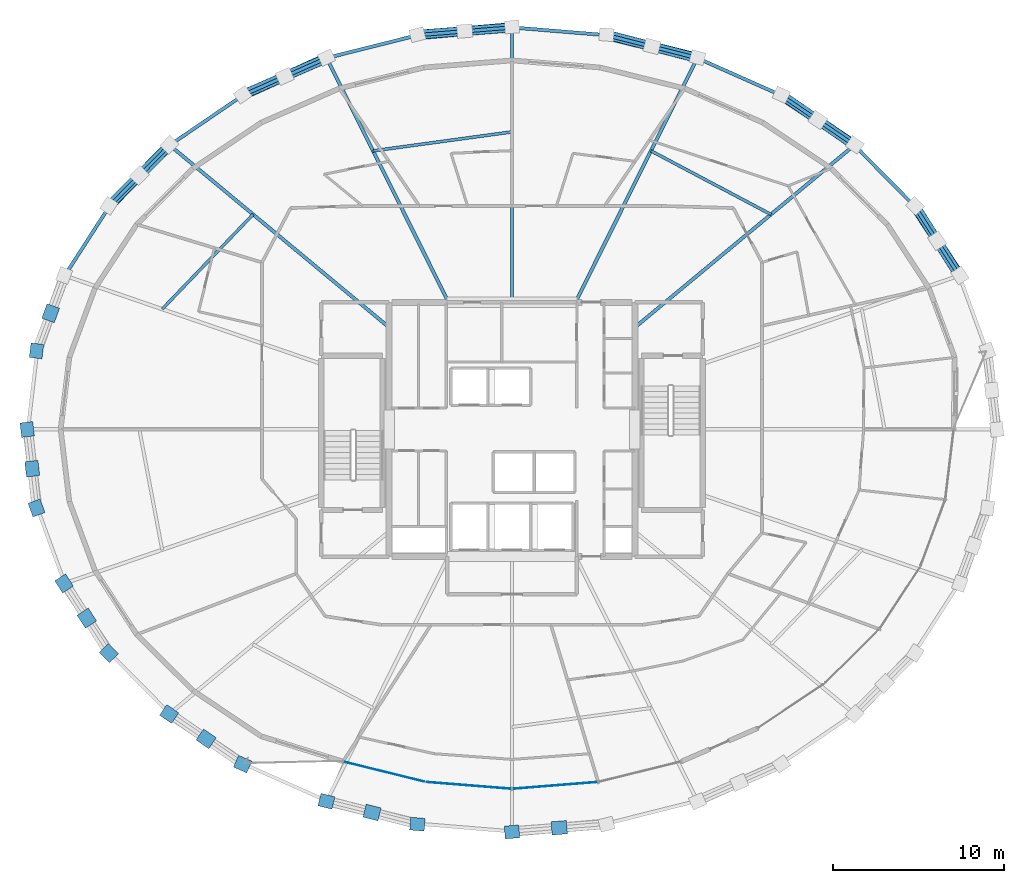
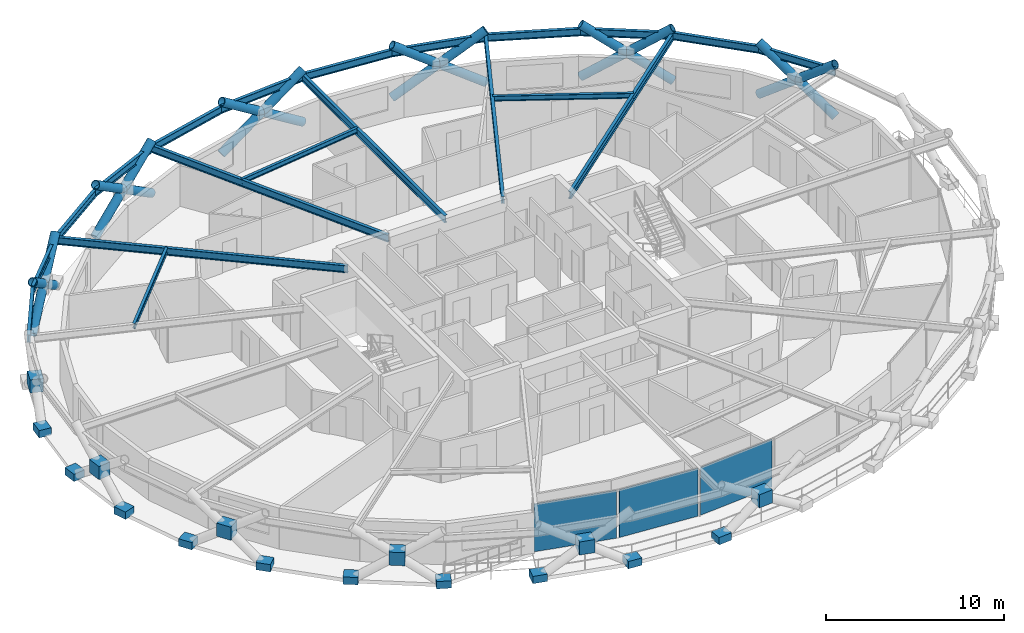
# One storey, part 12 of 21: 20 beams, 19 plates, 18 members, 1 element without a shape of its own.
"""IFC4 building model written with IfcOpenShell, lengths in metres."""

import ifcopenshell
import ifcopenshell.guid

model = None  # the IFC model being written
_history = None  # IfcOwnerHistory: only IFC2X3 demands one
_inside = {}  # id of a spatial element -> (the spatial element, [elements in it])
_under = {}  # id of a project, library or spatial element -> (it, [spatial elements below it])
_declared = {}  # id of a project -> (the project, [libraries it declares])
_typed = {}  # id of a type object -> (the type object, [elements of that type])
_made_of = {}  # id of a material, layer set ... -> (it, [elements and type objects made of it])


def new_model(schema):
    """Start an empty IFC model of exactly this schema.

    Asked for "IFC4X3", IfcOpenShell would pick the latest addendum, in which some entities
    have other attributes; the version numbers below select the first issue.
    IFC2X3 requires an IfcOwnerHistory on every rooted entity: one is made here for all.
    """
    global model, _history
    if schema == "IFC4X3":
        model = ifcopenshell.file(schema_version=(4, 3, 0, 0))
    else:
        model = ifcopenshell.file(schema=schema)
    _inside.clear()
    _under.clear()
    _declared.clear()
    _typed.clear()
    _made_of.clear()
    _history = None
    if model.schema == "IFC2X3":
        org = make("IfcOrganization", Name="unknown")
        user = make(
            "IfcPersonAndOrganization",
            ThePerson=make("IfcPerson", FamilyName="unknown"),
            TheOrganization=org,
        )
        app = make(
            "IfcApplication",
            ApplicationDeveloper=org,
            Version="unknown",
            ApplicationFullName="unknown",
            ApplicationIdentifier="unknown",
        )
        _history = make(
            "IfcOwnerHistory",
            OwningUser=user,
            OwningApplication=app,
            ChangeAction="ADDED",
            CreationDate=0,
        )
    return model


def make(cls, **values):
    """One entity of the class cls with the attributes given. An attribute that is None is left unset."""
    return model.create_entity(
        cls, **{name: value for name, value in values.items() if value is not None}
    )


def rooted(cls, **values):
    """An entity with a GlobalId (a new one), such as an element, a storey or a relation."""
    return make(cls, GlobalId=ifcopenshell.guid.new(), OwnerHistory=_history, **values)


def si_unit(unit_type, name, prefix=None):
    """IfcSIUnit, for example si_unit("LENGTHUNIT", "METRE", prefix="MILLI")."""
    return make("IfcSIUnit", UnitType=unit_type, Prefix=prefix, Name=name)


def assignment(units):
    """IfcUnitAssignment: the units of a project."""
    return None if units is None else make("IfcUnitAssignment", Units=units)


def point(xyz):
    """IfcCartesianPoint."""
    return None if xyz is None else make("IfcCartesianPoint", Coordinates=xyz)


def direction(xyz):
    """IfcDirection."""
    return None if xyz is None else make("IfcDirection", DirectionRatios=xyz)


def frame(location, z_axis=None, x_axis=None):
    """IfcAxis2Placement3D, a coordinate frame: its origin and axes. An axis left out is left unset."""
    return make(
        "IfcAxis2Placement3D",
        Location=point(location),
        Axis=direction(z_axis),
        RefDirection=direction(x_axis),
    )


def frame_2d(location, x_axis=None):
    """IfcAxis2Placement2D, a coordinate frame in the plane: its origin and x axis."""
    return make(
        "IfcAxis2Placement2D", Location=point(location), RefDirection=direction(x_axis)
    )


def origin():
    """The frame at (0, 0, 0) with its axes left unset."""
    return frame((0.0, 0.0, 0.0))


def origin_2d():
    """The frame at (0, 0) in the plane with its x axis left unset."""
    return frame_2d((0.0, 0.0))


def place(relative_to, where):
    """IfcLocalPlacement: puts the frame where relative to a parent placement (None: the world)."""
    return make(
        "IfcLocalPlacement", PlacementRelTo=relative_to, RelativePlacement=where
    )


def context(
    kind, dimensions, precision=None, world=None, true_north=None, identifier=None
):
    """IfcGeometricRepresentationContext, for example the 3D "Model" context."""
    return make(
        "IfcGeometricRepresentationContext",
        ContextIdentifier=identifier,
        ContextType=kind,
        CoordinateSpaceDimension=dimensions,
        Precision=precision,
        WorldCoordinateSystem=world,
        TrueNorth=true_north,
    )


def subcontext(parent, identifier, kind, view, scale=None):
    """IfcGeometricRepresentationSubContext, for example "Body" below "Model"."""
    return make(
        "IfcGeometricRepresentationSubContext",
        ContextIdentifier=identifier,
        ContextType=kind,
        ParentContext=parent,
        TargetScale=scale,
        TargetView=view,
    )


def project(units=None, contexts=None):
    """IfcProject with its units and contexts."""
    return rooted(
        "IfcProject",
        Name="project",
        RepresentationContexts=contexts,
        UnitsInContext=assignment(units),
    )


def spatial(cls, under=None, at=None, **own):
    """A site, building, storey or space (cls), placed at a placement, below another one or the project."""
    s = rooted(cls, ObjectPlacement=at, **own)
    if under is not None:
        _under.setdefault(under.id(), (under, []))[1].append(s)
    return s


def profile(cls, at=None, kind="AREA", **sizes):
    """A parametric profile (cls). Its sizes go by their IFC names, for example OverallWidth=200.0."""
    return make(cls, ProfileType=kind, Position=at, **sizes)


def rectangle(**sizes):
    """IfcRectangleProfileDef."""
    return profile("IfcRectangleProfileDef", **sizes)


def hollow_circle(**sizes):
    """IfcCircleHollowProfileDef."""
    return profile("IfcCircleHollowProfileDef", **sizes)


def i_section(**sizes):
    """IfcIShapeProfileDef."""
    return profile("IfcIShapeProfileDef", **sizes)


def extrude(swept, where, along, depth):
    """IfcExtrudedAreaSolid: the profile swept, set in the frame where, extruded along a direction by depth."""
    return make(
        "IfcExtrudedAreaSolid",
        SweptArea=swept,
        Position=where,
        ExtrudedDirection=direction(along),
        Depth=depth,
    )


def shape(context_of_items, identifier, shape_type, items):
    """IfcShapeRepresentation: the items that make up one representation, for example the "Body"."""
    return make(
        "IfcShapeRepresentation",
        ContextOfItems=context_of_items,
        RepresentationIdentifier=identifier,
        RepresentationType=shape_type,
        Items=items,
    )


def material(Name=None, Category=None):
    """IfcMaterial."""
    return make("IfcMaterial", Name=Name, Category=Category)


def layer(
    of_material, thickness, ventilated=None, Name=None, Category=None, Priority=None
):
    """IfcMaterialLayer: one layer of a wall or slab, of a material (None: an air gap)."""
    return make(
        "IfcMaterialLayer",
        Material=of_material,
        LayerThickness=thickness,
        IsVentilated=ventilated,
        Name=Name,
        Category=Category,
        Priority=Priority,
    )


def layer_set(layers, Name=None):
    """IfcMaterialLayerSet."""
    return make("IfcMaterialLayerSet", MaterialLayers=layers, LayerSetName=Name)


def material_profile(
    of_material, cross_section, Name=None, Category=None, Priority=None
):
    """IfcMaterialProfile: a cross section and its material."""
    return make(
        "IfcMaterialProfile",
        Name=Name,
        Material=of_material,
        Profile=cross_section,
        Priority=Priority,
        Category=Category,
    )


def profile_set(profiles, Name=None, composite=None):
    """IfcMaterialProfileSet."""
    return make(
        "IfcMaterialProfileSet",
        Name=Name,
        MaterialProfiles=profiles,
        CompositeProfile=composite,
    )


def made_of(thing, what):
    """Note that an element or type object is made of a material, layer set ...; save() writes the relation."""
    if what is not None:
        _made_of.setdefault(what.id(), (what, []))[1].append(thing)
    return thing


def type_object(cls, material=None, **own):
    """A type object (cls), such as IfcWallType, which elements share."""
    return made_of(rooted(cls, **own), material)


def element(
    cls,
    number,
    at=None,
    inside=None,
    cuts=None,
    type_object=None,
    material=None,
    context=None,
    identifier="Body",
    shape_type=None,
    held_by="IfcProductDefinitionShape",
    body=None,
    shapes=None,
    **own,
):
    """One element of the class cls, such as IfcWall. Its Tag is "e" and its number.

    at: its placement. inside: the storey or other place that contains it. cuts: it is an
    opening in that element (IfcRelVoidsElement). A single representation is given by context,
    identifier, shape_type and body (its items); several are given by shapes. held_by: the class
    of the entity that holds the representations. save() writes the other relations.
    """
    e = rooted(cls, Tag="e%d" % number, ObjectPlacement=at, **own)
    if body is not None:
        shapes = [shape(context, identifier, shape_type, body)]
    if shapes is not None:
        e.Representation = make(held_by, Representations=shapes)
    if inside is not None:
        _inside.setdefault(inside.id(), (inside, []))[1].append(e)
    if cuts is not None:
        rooted(
            "IfcRelVoidsElement", RelatingBuildingElement=cuts, RelatedOpeningElement=e
        )
    if type_object is not None:
        _typed.setdefault(type_object.id(), (type_object, []))[1].append(e)
    return made_of(e, material)


def aggregate(whole, parts):
    """IfcRelAggregates: a whole, such as a stair, and the parts it consists of."""
    return rooted("IfcRelAggregates", RelatingObject=whole, RelatedObjects=parts)


def save(model, path):
    """Write the relations noted so far, then the file.

    IfcRelAggregates (storeys below a building ...), IfcRelContainedInSpatialStructure (elements
    in a storey), IfcRelDefinesByType, IfcRelAssociatesMaterial and IfcRelDeclares: one each for
    every whole, place, type object, material and project.
    """
    for whole, parts in _under.values():
        aggregate(whole, parts)
    for where, things in _inside.values():
        rooted(
            "IfcRelContainedInSpatialStructure",
            RelatedElements=things,
            RelatingStructure=where,
        )
    for kind, things in _typed.values():
        rooted("IfcRelDefinesByType", RelatedObjects=things, RelatingType=kind)
    for what, things in _made_of.values():
        rooted("IfcRelAssociatesMaterial", RelatedObjects=things, RelatingMaterial=what)
    for by, libraries in _declared.values():
        rooted("IfcRelDeclares", RelatingContext=by, RelatedDefinitions=libraries)
    model.write(path)


model = new_model("IFC4")

# Units and contexts
model_context = context("Model", 3, precision=1e-05, world=origin(), true_north=direction((0.0, 1.0)))
body_context = subcontext(model_context, "Body", "Model", "MODEL_VIEW")
ifc_project = project(units=[si_unit("LENGTHUNIT", "METRE"), si_unit("AREAUNIT", "SQUARE_METRE"), si_unit("VOLUMEUNIT", "CUBIC_METRE"), si_unit("PLANEANGLEUNIT", "RADIAN"), si_unit("MASSUNIT", "GRAM", prefix="KILO")], contexts=[model_context])

# Site, building, storey
site_placement = place(None, origin())
site = spatial("IfcSite", under=ifc_project, at=site_placement, CompositionType="ELEMENT")
building_placement = place(site_placement, origin())
building = spatial("IfcBuilding", under=site, at=building_placement, Name="Veldorina Hangang Commons", CompositionType="ELEMENT")
storey_placement = place(building_placement, frame((0.0, 0.0, 142.39990234375)))
storey = spatial("IfcBuildingStorey", under=building, at=storey_placement, Name="L36", CompositionType="ELEMENT", Elevation=142.39990234375)

# Beams
ifc_material_1 = material(Name="Steel SM420-TMC", Category="steel")
ifc_material_profile_1 = material_profile(ifc_material_1, i_section(OverallWidth=0.199951171875, OverallDepth=0.5, WebThickness=0.010009765625, FlangeThickness=0.01611328125, FilletRadius=0.01611328125, at=origin_2d()), Name="H-500x200x10x16")
ifc_profile_set_1 = profile_set([ifc_material_profile_1], Name="Steel SM420-TMC")
beam_type_1 = type_object("IfcBeamType", Name="BM-FG500", PredefinedType="BEAM", material=ifc_profile_set_1)
beam_1_placement = place(storey_placement, frame((39.199951171875, 29.978759765625, 3.10009765625), z_axis=(0.769328244643, 0.638853701558, 0.0), x_axis=(-0.638853701558, 0.769328244643, 0.0)))
element("IfcBeam", 1, at=beam_1_placement, inside=storey, type_object=beam_type_1, Name="L36 radial floor girder 03", PredefinedType="BEAM", context=body_context, shape_type="SweptSolid", body=[
    extrude(i_section(OverallWidth=0.199951171875, OverallDepth=0.5, WebThickness=0.010009765625, FlangeThickness=0.01611328125, FilletRadius=0.01611328125, at=origin_2d()), origin(), (0.0, 0.0, 1.0), 16.72265625),
])
beam_2_placement = place(storey_placement, frame((35.71630859375, 31.449951171875, 3.10009765625), z_axis=(0.44635293446, 0.894857004162, 0.0), x_axis=(-0.894857004162, 0.44635293446, 0.0)))
element("IfcBeam", 2, at=beam_2_placement, inside=storey, type_object=beam_type_1, Name="L36 radial floor girder 04", PredefinedType="BEAM", context=body_context, shape_type="SweptSolid", body=[
    extrude(i_section(OverallWidth=0.199951171875, OverallDepth=0.5, WebThickness=0.010009765625, FlangeThickness=0.01611328125, FilletRadius=0.01611328125, at=origin_2d()), origin(), (0.0, 0.0, 1.0), 16.002685546875),
])
beam_3_placement = place(storey_placement, frame((32.0, 31.449951171875, 3.10009765625), z_axis=(0.0, 1.0, 0.0), x_axis=(-1.0, 0.0, 0.0)))
element("IfcBeam", 3, at=beam_3_placement, inside=storey, type_object=beam_type_1, Name="L36 radial floor girder 05", PredefinedType="BEAM", context=body_context, shape_type="SweptSolid", body=[
    extrude(i_section(OverallWidth=0.199951171875, OverallDepth=0.5, WebThickness=0.010009765625, FlangeThickness=0.01611328125, FilletRadius=0.01611328125, at=origin_2d()), origin(), (0.0, 0.0, 1.0), 16.11376953125),
])
beam_4_placement = place(storey_placement, frame((28.28369140625, 31.449951171875, 3.10009765625), z_axis=(-0.44635293446, 0.894857004162, 0.0), x_axis=(-0.894857004162, -0.44635293446, 0.0)))
element("IfcBeam", 4, at=beam_4_placement, inside=storey, type_object=beam_type_1, Name="L36 radial floor girder 06", PredefinedType="BEAM", context=body_context, shape_type="SweptSolid", body=[
    extrude(i_section(OverallWidth=0.199951171875, OverallDepth=0.5, WebThickness=0.010009765625, FlangeThickness=0.01611328125, FilletRadius=0.01611328125, at=origin_2d()), origin(), (0.0, 0.0, 1.0), 16.002685546875),
])
beam_5_placement = place(storey_placement, frame((24.800048828125, 29.978759765625, 3.10009765625), z_axis=(-0.769328244643, 0.638853701558, 0.0), x_axis=(-0.638853701558, -0.769328244643, 0.0)))
element("IfcBeam", 5, at=beam_5_placement, inside=storey, type_object=beam_type_1, Name="L36 radial floor girder 07", PredefinedType="BEAM", context=body_context, shape_type="SweptSolid", body=[
    extrude(i_section(OverallWidth=0.199951171875, OverallDepth=0.5, WebThickness=0.010009765625, FlangeThickness=0.01611328125, FilletRadius=0.01611328125, at=origin_2d()), origin(), (0.0, 0.0, 1.0), 16.72265625),
])
ifc_material_2 = material(Name="Steel SM355-TMC", Category="steel")
ifc_material_profile_2 = material_profile(ifc_material_2, i_section(OverallWidth=0.175048828125, OverallDepth=0.35009765625, WebThickness=0.007080078125, FlangeThickness=0.010986328125, FilletRadius=0.012939453125, at=origin_2d()), Name="H-350x175x7x11")
ifc_profile_set_2 = profile_set([ifc_material_profile_2], Name="Steel SM355-TMC")
beam_type_2 = type_object("IfcBeamType", Name="BM-JST350", PredefinedType="JOIST", material=ifc_profile_set_2)
beam_6_placement = place(storey_placement, frame((47.176513671875, 36.602294921875, 3.175048828125), z_axis=(-0.883605014655, 0.468233038216, 0.0), x_axis=(-0.468233038216, -0.883605014655, 0.0)))
element("IfcBeam", 6, at=beam_6_placement, inside=storey, type_object=beam_type_2, Name="L36 secondary floor joist 03", PredefinedType="JOIST", context=body_context, shape_type="SweptSolid", body=[
    extrude(i_section(OverallWidth=0.175048828125, OverallDepth=0.35009765625, WebThickness=0.007080078125, FlangeThickness=0.010986328125, FilletRadius=0.012939453125, at=origin_2d()), origin(), (0.0, 0.0, 1.0), 7.957763671875),
])
beam_7_placement = place(storey_placement, frame((32.0, 41.4404296875, 3.175048828125), z_axis=(-0.990807744856, -0.13527753965, 0.0), x_axis=(0.13527753965, -0.990807744856, 0.0)))
element("IfcBeam", 7, at=beam_7_placement, inside=storey, type_object=beam_type_2, Name="L36 secondary floor joist 05", PredefinedType="JOIST", context=body_context, shape_type="SweptSolid", body=[
    extrude(i_section(OverallWidth=0.175048828125, OverallDepth=0.35009765625, WebThickness=0.007080078125, FlangeThickness=0.010986328125, FilletRadius=0.012939453125, at=origin_2d()), origin(), (0.0, 0.0, 1.0), 8.220703125),
])
beam_8_placement = place(storey_placement, frame((16.823486328125, 36.602294921875, 3.175048828125), z_axis=(-0.692389114021, -0.721524299512, 0.0), x_axis=(0.721524299512, -0.692389114021, 0.0)))
element("IfcBeam", 8, at=beam_8_placement, inside=storey, type_object=beam_type_2, Name="L36 secondary floor joist 07", PredefinedType="JOIST", context=body_context, shape_type="SweptSolid", body=[
    extrude(i_section(OverallWidth=0.175048828125, OverallDepth=0.35009765625, WebThickness=0.007080078125, FlangeThickness=0.010986328125, FilletRadius=0.012939453125, at=origin_2d()), origin(), (0.0, 0.0, 1.0), 7.6923828125),
])
ifc_material_profile_3 = material_profile(ifc_material_1, i_section(OverallWidth=0.199951171875, OverallDepth=0.5, WebThickness=0.010009765625, FlangeThickness=0.01611328125, FilletRadius=0.01611328125, at=origin_2d()), Name="H-500x200x10x16")
ifc_profile_set_3 = profile_set([ifc_material_profile_3], Name="Steel SM420-TMC")
beam_type_3 = type_object("IfcBeamType", Name="BM-RB500", PredefinedType="BEAM", material=ifc_profile_set_3)
beam_9_placement = place(storey_placement, frame((58.216552734375, 33.017333984375, 3.10009765625), z_axis=(-0.541243941663, 0.840865622804, 0.0), x_axis=(-0.840865622804, -0.541243941663, 0.0)))
element("IfcBeam", 9, at=beam_9_placement, inside=storey, type_object=beam_type_3, Name="L36 perimeter hoop ring beam 02", PredefinedType="BEAM", context=body_context, shape_type="SweptSolid", body=[
    extrude(i_section(OverallWidth=0.199951171875, OverallDepth=0.5, WebThickness=0.010009765625, FlangeThickness=0.01611328125, FilletRadius=0.01611328125, at=origin_2d()), origin(), (0.0, 0.0, 1.0), 4.844970703125),
])
beam_10_placement = place(storey_placement, frame((55.59423828125, 37.09130859375, 3.10009765625), z_axis=(-0.702936750629, 0.711252363521, 0.0), x_axis=(-0.711252363521, -0.702936750629, 0.0)))
element("IfcBeam", 10, at=beam_10_placement, inside=storey, type_object=beam_type_3, Name="L36 perimeter hoop ring beam 03", PredefinedType="BEAM", context=body_context, shape_type="SweptSolid", body=[
    extrude(i_section(OverallWidth=0.199951171875, OverallDepth=0.5, WebThickness=0.010009765625, FlangeThickness=0.01611328125, FilletRadius=0.01611328125, at=origin_2d()), origin(), (0.0, 0.0, 1.0), 5.0205078125),
])
beam_11_placement = place(storey_placement, frame((52.065185546875, 40.662109375, 3.10009765625), z_axis=(-0.826377201596, 0.563116968918, 0.0), x_axis=(-0.563116968918, -0.826377201596, 0.0)))
element("IfcBeam", 11, at=beam_11_placement, inside=storey, type_object=beam_type_3, Name="L36 perimeter hoop ring beam 04", PredefinedType="BEAM", context=body_context, shape_type="SweptSolid", body=[
    extrude(i_section(OverallWidth=0.199951171875, OverallDepth=0.5, WebThickness=0.010009765625, FlangeThickness=0.01611328125, FilletRadius=0.01611328125, at=origin_2d()), origin(), (0.0, 0.0, 1.0), 5.20361328125),
])
beam_12_placement = place(storey_placement, frame((47.76513671875, 43.59228515625, 3.10009765625), z_axis=(-0.913999013656, 0.405716407157, 0.0), x_axis=(-0.405716407157, -0.913999013656, 0.0)))
element("IfcBeam", 12, at=beam_12_placement, inside=storey, type_object=beam_type_3, Name="L36 perimeter hoop ring beam 05", PredefinedType="BEAM", context=body_context, shape_type="SweptSolid", body=[
    extrude(i_section(OverallWidth=0.199951171875, OverallDepth=0.5, WebThickness=0.010009765625, FlangeThickness=0.01611328125, FilletRadius=0.01611328125, at=origin_2d()), origin(), (0.0, 0.0, 1.0), 5.36767578125),
])
beam_13_placement = place(storey_placement, frame((42.859130859375, 45.77001953125, 3.10009765625), z_axis=(-0.969711938527, 0.244251420216, 0.0), x_axis=(-0.244251420216, -0.969711938527, 0.0)))
element("IfcBeam", 13, at=beam_13_placement, inside=storey, type_object=beam_type_3, Name="L36 perimeter hoop ring beam 06", PredefinedType="BEAM", context=body_context, shape_type="SweptSolid", body=[
    extrude(i_section(OverallWidth=0.199951171875, OverallDepth=0.5, WebThickness=0.010009765625, FlangeThickness=0.01611328125, FilletRadius=0.01611328125, at=origin_2d()), origin(), (0.0, 0.0, 1.0), 5.489501953125),
])
for number, where, z_axis, x_axis, name in (
    (14, (37.535888671875, 47.11083984375, 3.10009765625), (-0.996670415908, 0.081535771621, 0.0), (-0.081535771621, -0.996670415908, 0.0), "L36 perimeter hoop ring beam 07"),
    (15, (32.0, 47.563720703125, 3.10009765625), (-0.996670415908, -0.081535771621, 0.0), (0.081535771621, -0.996670415908, 0.0), "L36 perimeter hoop ring beam 08"),
):
    element("IfcBeam", number, at=place(storey_placement, frame(where, z_axis=z_axis, x_axis=x_axis)), inside=storey, type_object=beam_type_3, Name=name, PredefinedType="BEAM", context=body_context, shape_type="SweptSolid", body=[
        extrude(i_section(OverallWidth=0.199951171875, OverallDepth=0.5, WebThickness=0.010009765625, FlangeThickness=0.01611328125, FilletRadius=0.01611328125, at=origin_2d()), origin(), (0.0, 0.0, 1.0), 5.554443359375),
    ])
beam_14_placement = place(storey_placement, frame((26.464111328125, 47.11083984375, 3.10009765625), z_axis=(-0.969711938527, -0.244251420216, 0.0), x_axis=(0.244251420216, -0.969711938527, 0.0)))
element("IfcBeam", 16, at=beam_14_placement, inside=storey, type_object=beam_type_3, Name="L36 perimeter hoop ring beam 09", PredefinedType="BEAM", context=body_context, shape_type="SweptSolid", body=[
    extrude(i_section(OverallWidth=0.199951171875, OverallDepth=0.5, WebThickness=0.010009765625, FlangeThickness=0.01611328125, FilletRadius=0.01611328125, at=origin_2d()), origin(), (0.0, 0.0, 1.0), 5.489501953125),
])
beam_15_placement = place(storey_placement, frame((21.140869140625, 45.77001953125, 3.10009765625), z_axis=(-0.913999013656, -0.405716407157, 0.0), x_axis=(0.405716407157, -0.913999013656, 0.0)))
element("IfcBeam", 17, at=beam_15_placement, inside=storey, type_object=beam_type_3, Name="L36 perimeter hoop ring beam 10", PredefinedType="BEAM", context=body_context, shape_type="SweptSolid", body=[
    extrude(i_section(OverallWidth=0.199951171875, OverallDepth=0.5, WebThickness=0.010009765625, FlangeThickness=0.01611328125, FilletRadius=0.01611328125, at=origin_2d()), origin(), (0.0, 0.0, 1.0), 5.36767578125),
])
beam_16_placement = place(storey_placement, frame((16.23486328125, 43.59228515625, 3.10009765625), z_axis=(-0.826377201596, -0.563116968918, 0.0), x_axis=(0.563116968918, -0.826377201596, 0.0)))
element("IfcBeam", 18, at=beam_16_placement, inside=storey, type_object=beam_type_3, Name="L36 perimeter hoop ring beam 11", PredefinedType="BEAM", context=body_context, shape_type="SweptSolid", body=[
    extrude(i_section(OverallWidth=0.199951171875, OverallDepth=0.5, WebThickness=0.010009765625, FlangeThickness=0.01611328125, FilletRadius=0.01611328125, at=origin_2d()), origin(), (0.0, 0.0, 1.0), 5.20361328125),
])
beam_17_placement = place(storey_placement, frame((11.934814453125, 40.662109375, 3.10009765625), z_axis=(-0.702936750629, -0.711252363521, 0.0), x_axis=(0.711252363521, -0.702936750629, 0.0)))
element("IfcBeam", 19, at=beam_17_placement, inside=storey, type_object=beam_type_3, Name="L36 perimeter hoop ring beam 12", PredefinedType="BEAM", context=body_context, shape_type="SweptSolid", body=[
    extrude(i_section(OverallWidth=0.199951171875, OverallDepth=0.5, WebThickness=0.010009765625, FlangeThickness=0.01611328125, FilletRadius=0.01611328125, at=origin_2d()), origin(), (0.0, 0.0, 1.0), 5.0205078125),
])
beam_18_placement = place(storey_placement, frame((8.40576171875, 37.09130859375, 3.10009765625), z_axis=(-0.541243941663, -0.840865622804, 0.0), x_axis=(0.840865622804, -0.541243941663, 0.0)))
element("IfcBeam", 20, at=beam_18_placement, inside=storey, type_object=beam_type_3, Name="L36 perimeter hoop ring beam 13", PredefinedType="BEAM", context=body_context, shape_type="SweptSolid", body=[
    extrude(i_section(OverallWidth=0.199951171875, OverallDepth=0.5, WebThickness=0.010009765625, FlangeThickness=0.01611328125, FilletRadius=0.01611328125, at=origin_2d()), origin(), (0.0, 0.0, 1.0), 4.844970703125),
])

# Members
ifc_material_profile_4 = material_profile(ifc_material_1, hollow_circle(Radius=0.27490234375, WallThickness=0.028076171875, at=origin_2d()), Name="CHS-550x28")
ifc_profile_set_4 = profile_set([ifc_material_profile_4], Name="Steel SM420-TMC")
member_type = type_object("IfcMemberType", Name="DG-CHS550", PredefinedType="BRACE", material=ifc_profile_set_4)
member_1_placement = place(storey_placement, frame((58.251708984375, 33.027587890625, 0.0), z_axis=(-0.440450185788, 0.671821826571, 0.5955325912), x_axis=(-0.836295005514, -0.548279731298, 0.0)))
element("IfcMember", 21, at=member_1_placement, inside=storey, type_object=member_type, Name="L36 continuous perimeter diagrid brace 02", PredefinedType="BRACE", context=body_context, shape_type="SweptSolid", body=[
    extrude(hollow_circle(Radius=0.27490234375, WallThickness=0.028076171875, at=origin_2d()), origin(), (0.0, 0.0, 1.0), 6.045166015625),
])
member_2_placement = place(storey_placement, frame((55.6259765625, 37.106201171875, 0.0), z_axis=(0.428607764677, -0.678184011191, 0.596960493687), x_axis=(0.845330718941, 0.534243367404, 0.0)))
element("IfcMember", 22, at=member_2_placement, inside=storey, type_object=member_type, Name="L36 split perimeter diagrid lower brace 03", PredefinedType="BRACE", context=body_context, shape_type="SweptSolid", body=[
    extrude(hollow_circle(Radius=0.27490234375, WallThickness=0.028076171875, at=origin_2d()), origin(), (0.0, 0.0, 1.0), 3.017822265625),
])
member_3_placement = place(storey_placement, frame((56.91943359375, 35.0595703125, 1.801513671875), z_axis=(0.428610038071, -0.678240950604, 0.596894168331), x_axis=(0.845349694285, 0.534213341628, 0.0)))
element("IfcMember", 23, at=member_3_placement, inside=storey, type_object=member_type, Name="L36 split perimeter diagrid upper brace 03", PredefinedType="BRACE", context=body_context, shape_type="SweptSolid", body=[
    extrude(hollow_circle(Radius=0.27490234375, WallThickness=0.028076171875, at=origin_2d()), origin(), (0.0, 0.0, 1.0), 3.01318359375),
])
member_4_placement = place(storey_placement, frame((52.09228515625, 40.680908203125, 0.0), z_axis=(-0.683266013698, 0.458810547365, 0.56801446826), x_axis=(-0.557472899166, -0.830195137721, 0.0)))
element("IfcMember", 24, at=member_4_placement, inside=storey, type_object=member_type, Name="L36 continuous perimeter diagrid brace 04", PredefinedType="BRACE", context=body_context, shape_type="SweptSolid", body=[
    extrude(hollow_circle(Radius=0.27490234375, WallThickness=0.028076171875, at=origin_2d()), origin(), (0.0, 0.0, 1.0), 6.338134765625),
])
member_5_placement = place(storey_placement, frame((47.786376953125, 43.614501953125, 0.0), z_axis=(0.676167561401, -0.467397643173, 0.5695058139), x_axis=(0.568619053968, 0.822600979494, 0.0)))
element("IfcMember", 25, at=member_5_placement, inside=storey, type_object=member_type, Name="L36 split perimeter diagrid lower brace 05", PredefinedType="BRACE", context=body_context, shape_type="SweptSolid", body=[
    extrude(hollow_circle(Radius=0.27490234375, WallThickness=0.028076171875, at=origin_2d()), origin(), (0.0, 0.0, 1.0), 3.163330078125),
])
member_6_placement = place(storey_placement, frame((49.92529296875, 42.135986328125, 1.801513671875), z_axis=(0.676125871549, -0.467599625385, 0.56938949425), x_axis=(0.568809018332, 0.822469635102, 0.0)))
element("IfcMember", 26, at=member_6_placement, inside=storey, type_object=member_type, Name="L36 split perimeter diagrid upper brace 05", PredefinedType="BRACE", context=body_context, shape_type="SweptSolid", body=[
    extrude(hollow_circle(Radius=0.27490234375, WallThickness=0.028076171875, at=origin_2d()), origin(), (0.0, 0.0, 1.0), 3.15869140625),
])
member_7_placement = place(storey_placement, frame((42.873779296875, 45.794677734375, 0.0), z_axis=(-0.812418370602, 0.199649548364, 0.54782885005), x_axis=(-0.238646702983, -0.971106457169, 0.0)))
element("IfcMember", 27, at=member_7_placement, inside=storey, type_object=member_type, Name="L36 continuous perimeter diagrid brace 06", PredefinedType="BRACE", context=body_context, shape_type="SweptSolid", body=[
    extrude(hollow_circle(Radius=0.27490234375, WallThickness=0.028076171875, at=origin_2d()), origin(), (0.0, 0.0, 1.0), 6.571533203125),
])
member_8_placement = place(storey_placement, frame((37.54345703125, 47.136962890625, 0.0), z_axis=(0.809598922318, -0.20883042909, 0.548579471789), x_axis=(0.249767760363, 0.968305770861, 0.0)))
element("IfcMember", 28, at=member_8_placement, inside=storey, type_object=member_type, Name="L36 split perimeter diagrid lower brace 07", PredefinedType="BRACE", context=body_context, shape_type="SweptSolid", body=[
    extrude(hollow_circle(Radius=0.27490234375, WallThickness=0.028076171875, at=origin_2d()), origin(), (0.0, 0.0, 1.0), 3.283935546875),
])
member_9_placement = place(storey_placement, frame((40.2021484375, 46.451171875, 1.801513671875), z_axis=(0.809623037647, -0.208920566823, 0.548509556589), x_axis=(0.249861860474, 0.968281493513, 0.0)))
element("IfcMember", 29, at=member_9_placement, inside=storey, type_object=member_type, Name="L36 split perimeter diagrid upper brace 07", PredefinedType="BRACE", context=body_context, shape_type="SweptSolid", body=[
    extrude(hollow_circle(Radius=0.27490234375, WallThickness=0.028076171875, at=origin_2d()), origin(), (0.0, 0.0, 1.0), 3.279052734375),
])
member_10_placement = place(storey_placement, frame((32.0, 47.59033203125, 0.0), z_axis=(-0.836037313065, -0.073053236169, 0.543787491441), x_axis=(0.087048663223, -0.996204060537, 0.0)))
element("IfcMember", 30, at=member_10_placement, inside=storey, type_object=member_type, Name="L36 continuous perimeter diagrid brace 08", PredefinedType="BRACE", context=body_context, shape_type="SweptSolid", body=[
    extrude(hollow_circle(Radius=0.27490234375, WallThickness=0.028076171875, at=origin_2d()), origin(), (0.0, 0.0, 1.0), 6.620361328125),
])
member_11_placement = place(storey_placement, frame((26.45654296875, 47.136962890625, 0.0), z_axis=(0.836947914522, 0.063791312619, 0.543552073689), x_axis=(-0.07599854481, 0.997107928555, 0.0)))
element("IfcMember", 31, at=member_11_placement, inside=storey, type_object=member_type, Name="L36 split perimeter diagrid lower brace 09", PredefinedType="BRACE", context=body_context, shape_type="SweptSolid", body=[
    extrude(hollow_circle(Radius=0.27490234375, WallThickness=0.028076171875, at=origin_2d()), origin(), (0.0, 0.0, 1.0), 3.314453125),
])
member_12_placement = place(storey_placement, frame((29.23046875, 47.348388671875, 1.801513671875), z_axis=(0.836960791804, 0.063745955934, 0.543537566398), x_axis=(-0.07594365862, 0.997112110405, 0.0)))
element("IfcMember", 32, at=member_12_placement, inside=storey, type_object=member_type, Name="L36 split perimeter diagrid upper brace 09", PredefinedType="BRACE", context=body_context, shape_type="SweptSolid", body=[
    extrude(hollow_circle(Radius=0.27490234375, WallThickness=0.028076171875, at=origin_2d()), origin(), (0.0, 0.0, 1.0), 3.30908203125),
])
member_13_placement = place(storey_placement, frame((21.126220703125, 45.794677734375, 0.0), z_axis=(-0.756767980467, -0.34151134826, 0.557379783226), x_axis=(0.411331765893, -0.911485698389, 0.0)))
element("IfcMember", 33, at=member_13_placement, inside=storey, type_object=member_type, Name="L36 continuous perimeter diagrid brace 10", PredefinedType="BRACE", context=body_context, shape_type="SweptSolid", body=[
    extrude(hollow_circle(Radius=0.27490234375, WallThickness=0.028076171875, at=origin_2d()), origin(), (0.0, 0.0, 1.0), 6.458984375),
])
member_14_placement = place(storey_placement, frame((16.213623046875, 43.614501953125, 0.0), z_axis=(0.761661500806, 0.332360011585, 0.556245072688), x_axis=(-0.399943070544, 0.916539982938, 0.0)))
element("IfcMember", 34, at=member_14_placement, inside=storey, type_object=member_type, Name="L36 split perimeter diagrid lower brace 11", PredefinedType="BRACE", context=body_context, shape_type="SweptSolid", body=[
    extrude(hollow_circle(Radius=0.27490234375, WallThickness=0.028076171875, at=origin_2d()), origin(), (0.0, 0.0, 1.0), 3.23876953125),
])
member_15_placement = place(storey_placement, frame((18.680419921875, 44.69091796875, 1.801513671875), z_axis=(0.761601990025, 0.332516621797, 0.556232959306), x_axis=(-0.400127622405, 0.916459429428, 0.0)))
element("IfcMember", 35, at=member_15_placement, inside=storey, type_object=member_type, Name="L36 split perimeter diagrid upper brace 11", PredefinedType="BRACE", context=body_context, shape_type="SweptSolid", body=[
    extrude(hollow_circle(Radius=0.27490234375, WallThickness=0.028076171875, at=origin_2d()), origin(), (0.0, 0.0, 1.0), 3.2333984375),
])
member_16_placement = place(storey_placement, frame((11.90771484375, 40.680908203125, 0.0), z_axis=(-0.566580212197, -0.582007586543, 0.583312979757), x_axis=(0.716539726337, -0.697546285619, 0.0)))
element("IfcMember", 36, at=member_16_placement, inside=storey, type_object=member_type, Name="L36 continuous perimeter diagrid brace 12", PredefinedType="BRACE", context=body_context, shape_type="SweptSolid", body=[
    extrude(hollow_circle(Radius=0.27490234375, WallThickness=0.028076171875, at=origin_2d()), origin(), (0.0, 0.0, 1.0), 6.171875),
])
member_17_placement = place(storey_placement, frame((8.3740234375, 37.106201171875, 0.0), z_axis=(0.576158115591, 0.574029161284, 0.581835327076), x_axis=(-0.705796743514, 0.708414396272, 0.0)))
element("IfcMember", 37, at=member_17_placement, inside=storey, type_object=member_type, Name="L36 split perimeter diagrid lower brace 13", PredefinedType="BRACE", context=body_context, shape_type="SweptSolid", body=[
    extrude(hollow_circle(Radius=0.27490234375, WallThickness=0.028076171875, at=origin_2d()), origin(), (0.0, 0.0, 1.0), 3.09619140625),
])
member_18_placement = place(storey_placement, frame((10.157958984375, 38.883544921875, 1.801513671875), z_axis=(0.576051660025, 0.574235458766, 0.581737159616), x_axis=(-0.705989442342, 0.708222357245, 0.0)))
element("IfcMember", 38, at=member_18_placement, inside=storey, type_object=member_type, Name="L36 split perimeter diagrid upper brace 13", PredefinedType="BRACE", context=body_context, shape_type="SweptSolid", body=[
    extrude(hollow_circle(Radius=0.27490234375, WallThickness=0.028076171875, at=origin_2d()), origin(), (0.0, 0.0, 1.0), 3.091796875),
])

# Curtain wall, plates
ifc_material_3 = material(Name="Glass Low-E Triple IGU", Category="glass")
ifc_layer_1 = layer(ifc_material_3, 0.179931640625)
ifc_layer_set_1 = layer_set([ifc_layer_1], Name="Glass Low-E Triple IGU")
curtain_wall_type = type_object("IfcCurtainWallType", Name="CW-SYS-Z2", PredefinedType="NOTDEFINED", material=ifc_layer_set_1)
curtain_wall_placement = place(storey_placement, origin())
curtain_wall = element("IfcCurtainWall", 39, at=curtain_wall_placement, inside=storey, type_object=curtain_wall_type, Name="L36 unitised curtain wall CW-L36-R1", PredefinedType="NOTDEFINED")
ifc_layer_2 = layer(ifc_material_3, 0.0400390625)
ifc_layer_set_2 = layer_set([ifc_layer_2], Name="Glass Low-E Triple IGU")
plate_type_1 = type_object("IfcPlateType", Name="CW-PNL-VIS", PredefinedType="CURTAIN_PANEL", material=ifc_layer_set_2)
plate_1_placement = place(storey_placement, frame((24.519287109375, 3.93408203125, 0.01513671875), z_axis=(0.0, 0.0, 1.0), x_axis=(0.970863047415, -0.239635020738, 0.0)))
plate_1 = element("IfcPlate", 40, at=plate_1_placement, type_object=plate_type_1, Name="CW-L36-R1 facet 1 glazed vision panel", PredefinedType="CURTAIN_PANEL", context=body_context, shape_type="SweptSolid", body=[
    extrude(rectangle(XDim=4.823486328125, YDim=0.0400390625, at=origin_2d()), origin(), (0.0, 0.0, 1.0), 3.280029296875),
])
plate_2_placement = place(storey_placement, frame((29.47412109375, 3.132080078125, 0.01513671875), z_axis=(0.0, 0.0, 1.0), x_axis=(0.996804024502, -0.079885773056, 0.0)))
plate_2 = element("IfcPlate", 41, at=plate_2_placement, type_object=plate_type_1, Name="CW-L36-R1 facet 2 glazed vision panel", PredefinedType="CURTAIN_PANEL", context=body_context, shape_type="SweptSolid", body=[
    extrude(rectangle(XDim=4.887939453125, YDim=0.0400390625, at=origin_2d()), origin(), (0.0, 0.0, 1.0), 3.280029296875),
])
plate_3_placement = place(storey_placement, frame((34.52587890625, 3.132080078125, 0.01513671875), z_axis=(0.0, 0.0, 1.0), x_axis=(0.996804024502, 0.079885773056, 0.0)))
plate_3 = element("IfcPlate", 42, at=plate_3_placement, type_object=plate_type_1, Name="CW-L36-R1 facet 3 glazed vision panel", PredefinedType="CURTAIN_PANEL", context=body_context, shape_type="SweptSolid", body=[
    extrude(rectangle(XDim=4.887939453125, YDim=0.0400390625, at=origin_2d()), origin(), (0.0, 0.0, 1.0), 3.280029296875),
])
aggregate(curtain_wall, [plate_1, plate_2, plate_3])

# Plates
ifc_material_4 = material(Name="Steel SM460-TMC", Category="steel")
ifc_layer_3 = layer(ifc_material_4, 0.035888671875)
ifc_layer_set_3 = layer_set([ifc_layer_3], Name="Steel SM460-TMC")
plate_type_2 = type_object("IfcPlateType", Name="PL-STAR-36", PredefinedType="USERDEFINED", material=ifc_layer_set_3)
plate_4_placement = place(storey_placement, frame((4.9609375, 30.810302734375, 1.351318359375), z_axis=(0.0, 0.0, 1.0), x_axis=(-0.343184332272, -0.939268073599, 0.0)))
element("IfcPlate", 43, at=plate_4_placement, inside=storey, type_object=plate_type_2, Name="L36 diagrid X-crossing star-node gusset plate 14", ObjectType="GUSSET PLATE", PredefinedType="USERDEFINED", context=body_context, shape_type="SweptSolid", body=[
    extrude(rectangle(XDim=0.89990234375, YDim=0.780029296875, at=origin_2d()), origin(), (0.0, 0.0, 1.0), 0.89990234375),
])
for number, where, z_axis, x_axis, name in (
    (44, (4.13134765625, 28.602294921875, -0.08984375), (0.0, 0.0, 1.0), (-0.1178147099, -0.993035595601, 0.0), "L36 diagrid star-node gusset plate 15"),
    (45, (3.58544921875, 24.0, -0.08984375), (0.0, 0.0, 1.0), (0.1178147099, -0.993035595601, 0.0), "L36 diagrid star-node gusset plate 16"),
):
    element("IfcPlate", number, at=place(storey_placement, frame(where, z_axis=z_axis, x_axis=x_axis)), inside=storey, type_object=plate_type_2, Name=name, ObjectType="GUSSET PLATE", PredefinedType="USERDEFINED", context=body_context, shape_type="SweptSolid", body=[
        extrude(rectangle(XDim=0.85009765625, YDim=0.75, at=origin_2d()), origin(), (0.0, 0.0, 1.0), 0.5),
    ])
plate_5_placement = place(storey_placement, frame((3.880126953125, 21.700439453125, 1.351318359375), z_axis=(0.0, 0.0, 1.0), x_axis=(0.1178147099, -0.993035595601, 0.0)))
element("IfcPlate", 46, at=plate_5_placement, inside=storey, type_object=plate_type_2, Name="L36 diagrid X-crossing star-node gusset plate 16", ObjectType="GUSSET PLATE", PredefinedType="USERDEFINED", context=body_context, shape_type="SweptSolid", body=[
    extrude(rectangle(XDim=0.89990234375, YDim=0.780029296875, at=origin_2d()), origin(), (0.0, 0.0, 1.0), 0.89990234375),
])
for number, where, z_axis, x_axis, name in (
    (47, (4.13134765625, 19.397705078125, -0.08984375), (0.0, 0.0, 1.0), (0.343184332272, -0.939268073599, 0.0), "L36 diagrid star-node gusset plate 17"),
    (48, (5.748291015625, 14.972412109375, -0.08984375), (0.0, 0.0, 1.0), (0.541326717496, -0.84081233633, 0.0), "L36 diagrid star-node gusset plate 18"),
):
    element("IfcPlate", number, at=place(storey_placement, frame(where, z_axis=z_axis, x_axis=x_axis)), inside=storey, type_object=plate_type_2, Name=name, ObjectType="GUSSET PLATE", PredefinedType="USERDEFINED", context=body_context, shape_type="SweptSolid", body=[
        extrude(rectangle(XDim=0.85009765625, YDim=0.75, at=origin_2d()), origin(), (0.0, 0.0, 1.0), 0.5),
    ])
plate_6_placement = place(storey_placement, frame((7.08056640625, 12.9404296875, 1.3515625), z_axis=(0.0, 0.0, 1.0), x_axis=(0.541326717496, -0.84081233633, 0.0)))
element("IfcPlate", 49, at=plate_6_placement, inside=storey, type_object=plate_type_2, Name="L36 diagrid X-crossing star-node gusset plate 18", ObjectType="GUSSET PLATE", PredefinedType="USERDEFINED", context=body_context, shape_type="SweptSolid", body=[
    extrude(rectangle(XDim=0.89990234375, YDim=0.780029296875, at=origin_2d()), origin(), (0.0, 0.0, 1.0), 0.89990234375),
])
for number, where, z_axis, x_axis, name in (
    (50, (8.3740234375, 10.893798828125, -0.08984375), (0.0, 0.0, 1.0), (0.703010020349, -0.711179942974, 0.0), "L36 diagrid star-node gusset plate 19"),
    (51, (11.90771484375, 7.319091796875, -0.08984375), (0.0, 0.0, 1.0), (0.826422725162, -0.563050157034, 0.0), "L36 diagrid star-node gusset plate 20"),
):
    element("IfcPlate", number, at=place(storey_placement, frame(where, z_axis=z_axis, x_axis=x_axis)), inside=storey, type_object=plate_type_2, Name=name, ObjectType="GUSSET PLATE", PredefinedType="USERDEFINED", context=body_context, shape_type="SweptSolid", body=[
        extrude(rectangle(XDim=0.85009765625, YDim=0.75, at=origin_2d()), origin(), (0.0, 0.0, 1.0), 0.5),
    ])
plate_7_placement = place(storey_placement, frame((14.07470703125, 5.864013671875, 1.3515625), z_axis=(0.0, 0.0, 1.0), x_axis=(0.826422725162, -0.563050157034, 0.0)))
element("IfcPlate", 52, at=plate_7_placement, inside=storey, type_object=plate_type_2, Name="L36 diagrid X-crossing star-node gusset plate 20", ObjectType="GUSSET PLATE", PredefinedType="USERDEFINED", context=body_context, shape_type="SweptSolid", body=[
    extrude(rectangle(XDim=0.89990234375, YDim=0.780029296875, at=origin_2d()), origin(), (0.0, 0.0, 1.0), 0.89990234375),
])
for number, where, z_axis, x_axis, name in (
    (53, (16.213623046875, 4.385498046875, -0.08984375), (0.0, 0.0, 1.0), (0.914041698281, -0.405620233474, 0.0), "L36 diagrid star-node gusset plate 21"),
    (54, (21.126220703125, 2.205322265625, -0.08984375), (0.0, 0.0, 1.0), (0.969723018395, -0.244207427396, 0.0), "L36 diagrid star-node gusset plate 22"),
):
    element("IfcPlate", number, at=place(storey_placement, frame(where, z_axis=z_axis, x_axis=x_axis)), inside=storey, type_object=plate_type_2, Name=name, ObjectType="GUSSET PLATE", PredefinedType="USERDEFINED", context=body_context, shape_type="SweptSolid", body=[
        extrude(rectangle(XDim=0.85009765625, YDim=0.75, at=origin_2d()), origin(), (0.0, 0.0, 1.0), 0.5),
    ])
plate_8_placement = place(storey_placement, frame((23.7978515625, 1.548828125, 1.3515625), z_axis=(0.0, 0.0, 1.0), x_axis=(0.969723018395, -0.244207427396, 0.0)))
element("IfcPlate", 55, at=plate_8_placement, inside=storey, type_object=plate_type_2, Name="L36 diagrid X-crossing star-node gusset plate 22", ObjectType="GUSSET PLATE", PredefinedType="USERDEFINED", context=body_context, shape_type="SweptSolid", body=[
    extrude(rectangle(XDim=0.89990234375, YDim=0.780029296875, at=origin_2d()), origin(), (0.0, 0.0, 1.0), 0.89990234375),
])
for number, where, z_axis, x_axis, name in (
    (56, (26.45654296875, 0.863037109375, -0.08984375), (0.0, 0.0, 1.0), (0.996673044363, -0.081503635748, 0.0), "L36 diagrid star-node gusset plate 23"),
    (57, (32.0, 0.40966796875, -0.08984375), (0.0, 0.0, 1.0), (0.996673044363, 0.081503635748, 0.0), "L36 diagrid star-node gusset plate 24"),
):
    element("IfcPlate", number, at=place(storey_placement, frame(where, z_axis=z_axis, x_axis=x_axis)), inside=storey, type_object=plate_type_2, Name=name, ObjectType="GUSSET PLATE", PredefinedType="USERDEFINED", context=body_context, shape_type="SweptSolid", body=[
        extrude(rectangle(XDim=0.85009765625, YDim=0.75, at=origin_2d()), origin(), (0.0, 0.0, 1.0), 0.5),
    ])
plate_9_placement = place(storey_placement, frame((34.76953125, 0.651611328125, 1.3515625), z_axis=(0.0, 0.0, 1.0), x_axis=(0.996673044363, 0.081503635748, 0.0)))
element("IfcPlate", 58, at=plate_9_placement, inside=storey, type_object=plate_type_2, Name="L36 diagrid X-crossing star-node gusset plate 24", ObjectType="GUSSET PLATE", PredefinedType="USERDEFINED", context=body_context, shape_type="SweptSolid", body=[
    extrude(rectangle(XDim=0.89990234375, YDim=0.780029296875, at=origin_2d()), origin(), (0.0, 0.0, 1.0), 0.89990234375),
])

save(model, "model.ifc")
